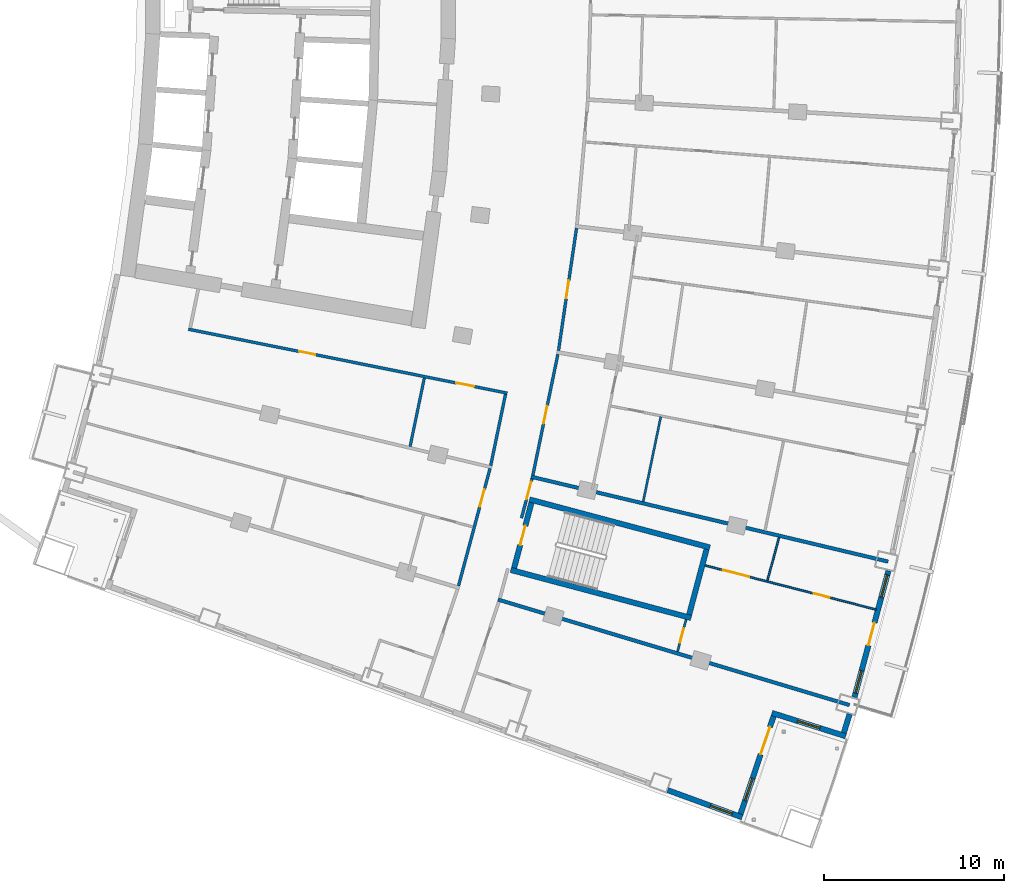
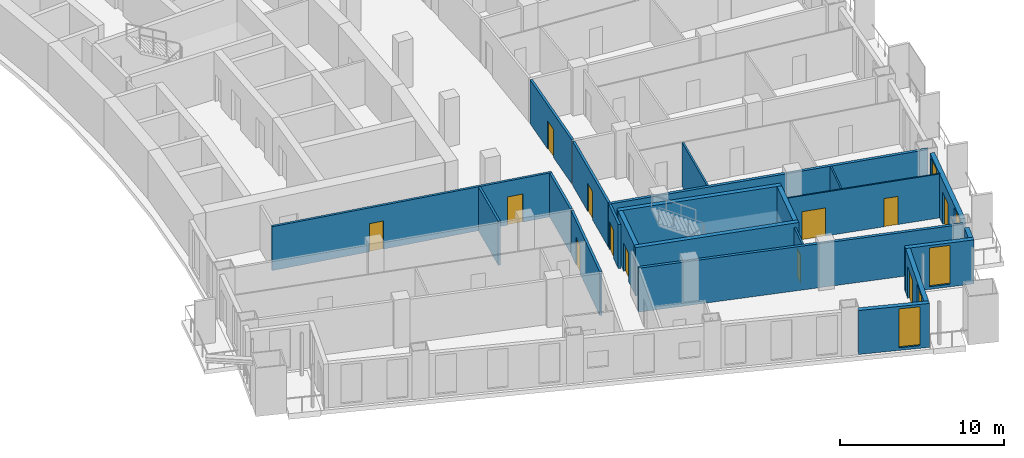
# One storey, part 14 of 24: 22 walls, 12 doors, 5 windows, 17 openings.
"""IFC4 building model written with IfcOpenShell, lengths in metres."""

from ifc_helpers import new_model, si_unit, direction, frame, frame_2d, origin, place, context, subcontext, project, spatial, rectangle, extrude, material, layer, layer_set, type_object, element, fill, save


model = new_model("IFC4")

# Units and contexts
model_context = context("Model", 3, precision=1e-05, world=origin(), true_north=direction((0.0, 1.0)))
body_context = subcontext(model_context, "Body", "Model", "MODEL_VIEW")
ifc_project = project(units=[si_unit("LENGTHUNIT", "METRE"), si_unit("AREAUNIT", "SQUARE_METRE"), si_unit("VOLUMEUNIT", "CUBIC_METRE"), si_unit("PLANEANGLEUNIT", "RADIAN"), si_unit("MASSUNIT", "GRAM", prefix="KILO")], contexts=[model_context])

# Site, building, storey
site_placement = place(None, origin())
site = spatial("IfcSite", under=ifc_project, at=site_placement, CompositionType="ELEMENT")
building_placement = place(site_placement, origin())
building = spatial("IfcBuilding", under=site, at=building_placement, Name="Alderwake Tower", CompositionType="ELEMENT")
storey_placement = place(building_placement, frame((0.0, 0.0, 96.800048828125)))
storey = spatial("IfcBuildingStorey", under=building, at=storey_placement, Name="L23", CompositionType="ELEMENT", Elevation=96.800048828125)

# Walls
ifc_material_1 = material(Name="Concrete C70/85", Category="concrete")
ifc_layer_1 = layer(ifc_material_1, 0.300048828125)
ifc_layer_set_1 = layer_set([ifc_layer_1], Name="Core wall stair enclosure 300 C70-85")
wall_type_1 = type_object("IfcWallType", Name="Core wall stair enclosure 300 C70-85", PredefinedType="SHEAR", material=ifc_layer_set_1)
for number, where, z_axis, x_axis, name in (
    (1, (37.75390625, 31.731201171875, 0.0), (0.0, 0.0, 1.0), (0.966309214305, -0.257383958996, 0.0), "Core wall CW.086"),
    (2, (36.71142578125, 27.817626953125, 0.0), (0.0, 0.0, 1.0), (0.966309214305, -0.257383958996, 0.0), "Core wall CW.088"),
):
    element("IfcWall", number, at=place(storey_placement, frame(where, z_axis=z_axis, x_axis=x_axis)), inside=storey, type_object=wall_type_1, Name=name, PredefinedType="SHEAR", context=body_context, shape_type="SweptSolid", body=[
        extrude(rectangle(XDim=10.360107421875, YDim=0.300048828125, at=frame_2d((5.18017578125, 0.0))), origin(), (0.0, 0.0, 1.0), 3.599853515625),
    ])

# Wall, opening, door
wall_1_placement = place(storey_placement, frame((36.89501953125, 27.923828125, 0.0), z_axis=(0.0, 0.0, 1.0), x_axis=(0.257350630826, 0.966318090907, 0.0)))
wall_1 = element("IfcWall", 3, at=wall_1_placement, inside=storey, type_object=wall_type_1, Name="Core wall CW.087", PredefinedType="SHEAR", context=body_context, shape_type="SweptSolid", body=[
    extrude(rectangle(XDim=3.75, YDim=0.300048828125, at=frame_2d((1.875, 0.0))), origin(), (0.0, 0.0, 1.0), 3.599853515625),
])
opening_1_placement = place(wall_1_placement, frame((1.324951171875, 0.0, 0.0)))
opening_1 = element("IfcOpeningElement", 4, at=opening_1_placement, cuts=wall_1, Name="Opening C065", PredefinedType="OPENING", context=body_context, shape_type="SweptSolid", body=[
    extrude(rectangle(XDim=1.10009765625, YDim=2.10009765625, at=frame_2d((0.550048828125, 1.050048828125))), frame((0.0, 0.159912109375, 0.0), z_axis=(0.0, -1.0, 0.0), x_axis=(1.0, 0.0, 0.0)), (0.0, 0.0, 1.0), 0.320068359375),
])
ifc_material_2 = material(Name="Steel-framed fire door leaf", Category="steel")
door_type_1 = type_object("IfcDoorType", Name="Core stair door 1100 fire-rated", OperationType="SINGLE_SWING_LEFT", PredefinedType="DOOR", material=ifc_material_2)
door_1_placement = place(opening_1_placement, origin())
door_1 = element("IfcDoor", 5, at=door_1_placement, inside=storey, type_object=door_type_1, Name="Stair door", OperationType="SINGLE_SWING_LEFT", OverallHeight=2.10009765625, OverallWidth=1.10009765625, PredefinedType="DOOR", context=body_context, shape_type="SweptSolid", body=[
    extrude(rectangle(XDim=1.10009765625, YDim=2.10009765625, at=frame_2d((0.550048828125, 1.050048828125))), frame((0.0, 0.02490234375, 0.0), z_axis=(0.0, -1.0, 0.0), x_axis=(1.0, 0.0, 0.0)), (0.0, 0.0, 1.0), 0.050048828125),
])
fill(opening_1, door_1)

# Wall
wall_2_placement = place(storey_placement, frame((46.6162109375, 25.334716796875, 0.0), z_axis=(0.0, 0.0, 1.0), x_axis=(0.257366821694, 0.966313778796, 0.0)))
element("IfcWall", 6, at=wall_2_placement, inside=storey, type_object=wall_type_1, Name="Core wall CW.085", PredefinedType="SHEAR", context=body_context, shape_type="SweptSolid", body=[
    extrude(rectangle(XDim=3.749755859375, YDim=0.300048828125, at=frame_2d((1.875, 0.0))), origin(), (0.0, 0.0, 1.0), 3.599853515625),
])

# Wall, openings, doors
ifc_material_3 = material(Name="Gypsum board on metal studs, rated")
ifc_layer_2 = layer(ifc_material_3, 0.159912109375)
ifc_layer_set_2 = layer_set([ifc_layer_2], Name="Corridor wall 160")
wall_type_2 = type_object("IfcWallType", Name="Corridor wall 160", PredefinedType="PARTITIONING", material=ifc_layer_set_2)
wall_3_placement = place(storey_placement, frame((36.513427734375, 37.63427734375, 0.0), z_axis=(0.0, 0.0, 1.0), x_axis=(-0.980470254867, 0.1966674333, 0.0)))
wall_3 = element("IfcWall", 7, at=wall_3_placement, inside=storey, type_object=wall_type_2, Name="WL/L23/W20", PredefinedType="PARTITIONING", context=body_context, shape_type="SweptSolid", body=[
    extrude(rectangle(XDim=18.053466796875, YDim=0.159912109375, at=frame_2d((9.02685546875, 0.0))), origin(), (0.0, 0.0, 1.0), 3.280029296875),
])
opening_2_placement = place(wall_3_placement, frame((10.876708984375, 0.0, 0.0)))
opening_2 = element("IfcOpeningElement", 8, at=opening_2_placement, cuts=wall_3, Name="Opening R06-SBS1", PredefinedType="OPENING", context=body_context, shape_type="SweptSolid", body=[
    extrude(rectangle(XDim=0.89990234375, YDim=2.10009765625, at=frame_2d((0.449951171875, 1.050048828125))), frame((0.0, 0.08984375, 0.0), z_axis=(0.0, -1.0, 0.0), x_axis=(1.0, 0.0, 0.0)), (0.0, 0.0, 1.0), 0.179931640625),
])
opening_3_placement = place(wall_3_placement, frame((1.880615234375, 0.0, 0.0)))
opening_3 = element("IfcOpeningElement", 9, at=opening_3_placement, cuts=wall_3, Name="Opening R06-SBS2", PredefinedType="OPENING", context=body_context, shape_type="SweptSolid", body=[
    extrude(rectangle(XDim=1.0, YDim=2.10009765625, at=frame_2d((0.5, 1.050048828125))), frame((0.0, 0.08984375, 0.0), z_axis=(0.0, -1.0, 0.0), x_axis=(1.0, 0.0, 0.0)), (0.0, 0.0, 1.0), 0.179931640625),
])
ifc_material_4 = material(Name="Steel-framed fire door leaf", Category="steel")
door_type_2 = type_object("IfcDoorType", Name="Plant room door 1000 fire-rated", OperationType="SINGLE_SWING_LEFT", PredefinedType="DOOR", material=ifc_material_4)
door_2_placement = place(opening_3_placement, origin())
door_2 = element("IfcDoor", 10, at=door_2_placement, inside=storey, type_object=door_type_2, Name="DR/L23/SBS2", OperationType="SINGLE_SWING_LEFT", OverallHeight=2.10009765625, OverallWidth=1.0, PredefinedType="DOOR", context=body_context, shape_type="SweptSolid", body=[
    extrude(rectangle(XDim=1.0, YDim=2.10009765625, at=frame_2d((0.5, 1.050048828125))), frame((0.0, 0.02490234375, 0.0), z_axis=(0.0, -1.0, 0.0), x_axis=(1.0, 0.0, 0.0)), (0.0, 0.0, 1.0), 0.050048828125),
])
fill(opening_3, door_2)
ifc_material_5 = material(Name="Painted timber leaf", Category="wood")
door_type_3 = type_object("IfcDoorType", Name="Room door 900", OperationType="SINGLE_SWING_LEFT", PredefinedType="DOOR", material=ifc_material_5)
door_3_placement = place(opening_2_placement, origin())
door_3 = element("IfcDoor", 11, at=door_3_placement, inside=storey, type_object=door_type_3, Name="DR/L23/SBS1", OperationType="SINGLE_SWING_LEFT", OverallHeight=2.10009765625, OverallWidth=0.89990234375, PredefinedType="DOOR", context=body_context, shape_type="SweptSolid", body=[
    extrude(rectangle(XDim=0.89990234375, YDim=2.10009765625, at=frame_2d((0.449951171875, 1.050048828125))), frame((0.0, 0.02490234375, 0.0), z_axis=(0.0, -1.0, 0.0), x_axis=(1.0, 0.0, 0.0)), (0.0, 0.0, 1.0), 0.050048828125),
])
fill(opening_2, door_3)

# Wall, opening, door
wall_4_placement = place(storey_placement, frame((33.808837890625, 26.9345703125, 0.0), z_axis=(0.0, 0.0, 1.0), x_axis=(0.259298911818, 0.965797118618, 0.0)))
wall_4 = element("IfcWall", 12, at=wall_4_placement, inside=storey, type_object=wall_type_2, Name="WL/L23/W25", PredefinedType="PARTITIONING", context=body_context, shape_type="SweptSolid", body=[
    extrude(rectangle(XDim=6.75, YDim=0.159912109375, at=frame_2d((3.375, 0.0))), origin(), (0.0, 0.0, 1.0), 3.280029296875),
])
opening_4_placement = place(wall_4_placement, frame((4.5576171875, 0.0, 0.0)))
opening_4 = element("IfcOpeningElement", 13, at=opening_4_placement, cuts=wall_4, Name="Opening R06-U13.2", PredefinedType="OPENING", context=body_context, shape_type="SweptSolid", body=[
    extrude(rectangle(XDim=1.0, YDim=2.10009765625, at=frame_2d((0.5, 1.050048828125))), frame((0.0, 0.08984375, 0.0), z_axis=(0.0, -1.0, 0.0), x_axis=(1.0, 0.0, 0.0)), (0.0, 0.0, 1.0), 0.179931640625),
])
ifc_material_6 = material(Name="Solid timber leaf in steel frame", Category="steel")
door_type_4 = type_object("IfcDoorType", Name="Flat entrance door 1000 fire-rated", OperationType="SINGLE_SWING_LEFT", PredefinedType="DOOR", material=ifc_material_6)
door_4_placement = place(opening_4_placement, origin())
door_4 = element("IfcDoor", 14, at=door_4_placement, inside=storey, type_object=door_type_4, Name="DR/L23/U13.2", OperationType="SINGLE_SWING_LEFT", OverallHeight=2.10009765625, OverallWidth=1.0, PredefinedType="DOOR", context=body_context, shape_type="SweptSolid", body=[
    extrude(rectangle(XDim=1.0, YDim=2.10009765625, at=frame_2d((0.5, 1.050048828125))), frame((0.0, 0.02490234375, 0.0), z_axis=(0.0, -1.0, 0.0), x_axis=(1.0, 0.0, 0.0)), (0.0, 0.0, 1.0), 0.050048828125),
])
fill(opening_4, door_4)

# Wall
wall_5_placement = place(storey_placement, frame((36.418701171875, 37.57177734375, 0.0), z_axis=(0.0, 0.0, 1.0), x_axis=(-0.203245920818, -0.979127721838, 0.0)))
element("IfcWall", 15, at=wall_5_placement, inside=storey, type_object=wall_type_2, Name="WL/L23/W31", PredefinedType="PARTITIONING", context=body_context, shape_type="SweptSolid", body=[
    extrude(rectangle(XDim=4.046875, YDim=0.159912109375, at=frame_2d((2.0234375, 0.0))), origin(), (0.0, 0.0, 1.0), 3.280029296875),
])

# Wall, opening, door
wall_6_placement = place(storey_placement, frame((37.89111328125, 32.87939453125, 0.0), z_axis=(0.0, 0.0, 1.0), x_axis=(-0.259620578816, -0.965710699462, 0.0)))
wall_6 = element("IfcWall", 16, at=wall_6_placement, inside=storey, type_object=wall_type_2, Name="WL/L23/W34", PredefinedType="PARTITIONING", context=body_context, shape_type="SweptSolid", body=[
    extrude(rectangle(XDim=2.2578125, YDim=0.159912109375, at=frame_2d((1.12890625, 0.0))), origin(), (0.0, 0.0, 1.0), 3.280029296875),
])
opening_5_placement = place(wall_6_placement, frame((0.1708984375, 0.0, 0.0)))
opening_5 = element("IfcOpeningElement", 17, at=opening_5_placement, cuts=wall_6, Name="Opening R06-U01.1", PredefinedType="OPENING", context=body_context, shape_type="SweptSolid", body=[
    extrude(rectangle(XDim=1.0, YDim=2.10009765625, at=frame_2d((0.5, 1.050048828125))), frame((0.0, 0.08984375, 0.0), z_axis=(0.0, -1.0, 0.0), x_axis=(1.0, 0.0, 0.0)), (0.0, 0.0, 1.0), 0.179931640625),
])
door_5_placement = place(opening_5_placement, origin())
door_5 = element("IfcDoor", 18, at=door_5_placement, inside=storey, type_object=door_type_4, Name="DR/L23/U01.1", OperationType="SINGLE_SWING_LEFT", OverallHeight=2.10009765625, OverallWidth=1.0, PredefinedType="DOOR", context=body_context, shape_type="SweptSolid", body=[
    extrude(rectangle(XDim=1.0, YDim=2.10009765625, at=frame_2d((0.5, 1.050048828125))), frame((0.0, 0.02490234375, 0.0), z_axis=(0.0, -1.0, 0.0), x_axis=(1.0, 0.0, 0.0)), (0.0, 0.0, 1.0), 0.050048828125),
])
fill(opening_5, door_5)

wall_7_placement = place(storey_placement, frame((39.32763671875, 39.799072265625, 0.0), z_axis=(0.0, 0.0, 1.0), x_axis=(-0.202463357072, -0.97928983914, 0.0)))
wall_7 = element("IfcWall", 19, at=wall_7_placement, inside=storey, type_object=wall_type_2, Name="WL/L23/W35", PredefinedType="PARTITIONING", context=body_context, shape_type="SweptSolid", body=[
    extrude(rectangle(XDim=6.867431640625, YDim=0.159912109375, at=frame_2d((3.43359375, 0.0))), origin(), (0.0, 0.0, 1.0), 3.280029296875),
])
opening_6_placement = place(wall_7_placement, frame((2.93359375, 0.0, 0.0)))
opening_6 = element("IfcOpeningElement", 20, at=opening_6_placement, cuts=wall_7, Name="Opening R06-U05.2", PredefinedType="OPENING", context=body_context, shape_type="SweptSolid", body=[
    extrude(rectangle(XDim=1.0, YDim=2.10009765625, at=frame_2d((0.5, 1.050048828125))), frame((0.0, 0.08984375, 0.0), z_axis=(0.0, -1.0, 0.0), x_axis=(1.0, 0.0, 0.0)), (0.0, 0.0, 1.0), 0.179931640625),
])
door_6_placement = place(opening_6_placement, origin())
door_6 = element("IfcDoor", 21, at=door_6_placement, inside=storey, type_object=door_type_4, Name="DR/L23/U05.2", OperationType="SINGLE_SWING_LEFT", OverallHeight=2.10009765625, OverallWidth=1.0, PredefinedType="DOOR", context=body_context, shape_type="SweptSolid", body=[
    extrude(rectangle(XDim=1.0, YDim=2.10009765625, at=frame_2d((0.5, 1.050048828125))), frame((0.0, 0.02490234375, 0.0), z_axis=(0.0, -1.0, 0.0), x_axis=(1.0, 0.0, 0.0)), (0.0, 0.0, 1.0), 0.050048828125),
])
fill(opening_6, door_6)

wall_8_placement = place(storey_placement, frame((40.3623046875, 46.7939453125, 0.0), z_axis=(0.0, 0.0, 1.0), x_axis=(-0.1455042199, -0.989357630987, 0.0)))
wall_8 = element("IfcWall", 22, at=wall_8_placement, inside=storey, type_object=wall_type_2, Name="WL/L23/W37", PredefinedType="PARTITIONING", context=body_context, shape_type="SweptSolid", body=[
    extrude(rectangle(XDim=6.87109375, YDim=0.159912109375, at=frame_2d((3.435546875, 0.0))), origin(), (0.0, 0.0, 1.0), 3.280029296875),
])
opening_7_placement = place(wall_8_placement, frame((2.935546875, 0.0, 0.0)))
opening_7 = element("IfcOpeningElement", 23, at=opening_7_placement, cuts=wall_8, Name="Opening R06-U06.2", PredefinedType="OPENING", context=body_context, shape_type="SweptSolid", body=[
    extrude(rectangle(XDim=1.0, YDim=2.10009765625, at=frame_2d((0.5, 1.050048828125))), frame((0.0, 0.08984375, 0.0), z_axis=(0.0, -1.0, 0.0), x_axis=(1.0, 0.0, 0.0)), (0.0, 0.0, 1.0), 0.179931640625),
])
door_7_placement = place(opening_7_placement, origin())
door_7 = element("IfcDoor", 24, at=door_7_placement, inside=storey, type_object=door_type_4, Name="DR/L23/U06.2", OperationType="SINGLE_SWING_LEFT", OverallHeight=2.10009765625, OverallWidth=1.0, PredefinedType="DOOR", context=body_context, shape_type="SweptSolid", body=[
    extrude(rectangle(XDim=1.0, YDim=2.10009765625, at=frame_2d((0.5, 1.050048828125))), frame((0.0, 0.02490234375, 0.0), z_axis=(0.0, -1.0, 0.0), x_axis=(1.0, 0.0, 0.0)), (0.0, 0.0, 1.0), 0.050048828125),
])
fill(opening_7, door_7)

# Wall
ifc_material_7 = material(Name="Precast concrete C50/60 spandrel panel", Category="concrete")
ifc_layer_3 = layer(ifc_material_7, 0.300048828125)
ifc_layer_set_3 = layer_set([ifc_layer_3], Name="External wall EW1 Precast concrete C50/60 spandrel")
wall_type_3 = type_object("IfcWallType", Name="External wall EW1 Precast concrete C50/60 spandrel", PredefinedType="SOLIDWALL", material=ifc_layer_set_3)
wall_9_placement = place(storey_placement, frame((55.206298828125, 18.7724609375, 0.0), z_axis=(0.0, 0.0, 1.0), x_axis=(0.29460770827, 0.955618280606, 0.0)))
element("IfcWall", 25, at=wall_9_placement, inside=storey, type_object=wall_type_3, Name="External wall 11", PredefinedType="SOLIDWALL", context=body_context, shape_type="SweptSolid", body=[
    extrude(rectangle(XDim=1.084716796875, YDim=0.300048828125, at=frame_2d((0.54248046875, 0.0))), origin(), (0.0, 0.0, 1.0), 3.280029296875),
])

# Wall, openings, door, windows
wall_10_placement = place(storey_placement, frame((55.797119140625, 20.75048828125, 0.0), z_axis=(0.0, 0.0, 1.0), x_axis=(0.259469611771, 0.96575127262, 0.0)))
wall_10 = element("IfcWall", 26, at=wall_10_placement, inside=storey, type_object=wall_type_3, Name="External wall 12", PredefinedType="SOLIDWALL", context=body_context, shape_type="SweptSolid", body=[
    extrude(rectangle(XDim=7.263916015625, YDim=0.300048828125, at=frame_2d((3.6318359375, 0.0))), origin(), (0.0, 0.0, 1.0), 3.280029296875),
])
opening_8_placement = place(wall_10_placement, frame((0.23291015625, 0.0, 0.199951171875)))
opening_8 = element("IfcOpeningElement", 27, at=opening_8_placement, cuts=wall_10, Name="Opening W1", PredefinedType="OPENING", context=body_context, shape_type="SweptSolid", body=[
    extrude(rectangle(XDim=1.300048828125, YDim=2.89990234375, at=frame_2d((0.64990234375, 1.449951171875))), frame((0.0, 0.159912109375, 0.0), z_axis=(0.0, -1.0, 0.0), x_axis=(1.0, 0.0, 0.0)), (0.0, 0.0, 1.0), 0.320068359375),
])
opening_9_placement = place(wall_10_placement, frame((2.98193359375, 0.0, 0.0)))
opening_9 = element("IfcOpeningElement", 28, at=opening_9_placement, cuts=wall_10, Name="Opening D03", PredefinedType="OPENING", context=body_context, shape_type="SweptSolid", body=[
    extrude(rectangle(XDim=1.300048828125, YDim=2.39990234375, at=frame_2d((0.64990234375, 1.199951171875))), frame((0.0, 0.159912109375, 0.0), z_axis=(0.0, -1.0, 0.0), x_axis=(1.0, 0.0, 0.0)), (0.0, 0.0, 1.0), 0.320068359375),
])
opening_10_placement = place(wall_10_placement, frame((5.73095703125, 0.0, 0.199951171875)))
opening_10 = element("IfcOpeningElement", 29, at=opening_10_placement, cuts=wall_10, Name="Opening W1", PredefinedType="OPENING", context=body_context, shape_type="SweptSolid", body=[
    extrude(rectangle(XDim=1.300048828125, YDim=2.89990234375, at=frame_2d((0.64990234375, 1.449951171875))), frame((0.0, 0.159912109375, 0.0), z_axis=(0.0, -1.0, 0.0), x_axis=(1.0, 0.0, 0.0)), (0.0, 0.0, 1.0), 0.320068359375),
])
ifc_material_8 = material(Name="Bronze tinted glass in aluminium frame", Category="aluminium")
door_type_5 = type_object("IfcDoorType", Name="Balcony door BD sliding", OperationType="SLIDING_TO_LEFT", PredefinedType="DOOR", material=ifc_material_8)
door_8_placement = place(opening_9_placement, origin())
door_8 = element("IfcDoor", 30, at=door_8_placement, inside=storey, type_object=door_type_5, Name="Door D03", OperationType="SLIDING_TO_LEFT", OverallHeight=2.39990234375, OverallWidth=1.300048828125, PredefinedType="DOOR", context=body_context, shape_type="SweptSolid", body=[
    extrude(rectangle(XDim=1.300048828125, YDim=2.39990234375, at=frame_2d((0.64990234375, 1.199951171875))), frame((0.0, 0.02490234375, 0.0), z_axis=(0.0, -1.0, 0.0), x_axis=(1.0, 0.0, 0.0)), (0.0, 0.0, 1.0), 0.050048828125),
])
fill(opening_9, door_8)
ifc_material_9 = material(Name="Bronze tinted glass in aluminium frame", Category="aluminium")
window_type = type_object("IfcWindowType", Name="Window W1 tall fixed and vent", PartitioningType="DOUBLE_PANEL_VERTICAL", PredefinedType="WINDOW", material=ifc_material_9)
window_1_placement = place(opening_8_placement, origin())
window_1 = element("IfcWindow", 31, at=window_1_placement, inside=storey, type_object=window_type, Name="Window W1 tall fixed and vent", OverallHeight=2.89990234375, OverallWidth=1.300048828125, PartitioningType="DOUBLE_PANEL_VERTICAL", PredefinedType="WINDOW", context=body_context, shape_type="SweptSolid", body=[
    extrude(rectangle(XDim=1.300048828125, YDim=2.89990234375, at=frame_2d((0.64990234375, 1.449951171875))), frame((0.0, 0.030029296875, 0.0), z_axis=(0.0, -1.0, 0.0), x_axis=(1.0, 0.0, 0.0)), (0.0, 0.0, 1.0), 0.06005859375),
])
fill(opening_8, window_1)
window_2_placement = place(opening_10_placement, origin())
window_2 = element("IfcWindow", 32, at=window_2_placement, inside=storey, type_object=window_type, Name="Window W1 tall fixed and vent", OverallHeight=2.89990234375, OverallWidth=1.300048828125, PartitioningType="DOUBLE_PANEL_VERTICAL", PredefinedType="WINDOW", context=body_context, shape_type="SweptSolid", body=[
    extrude(rectangle(XDim=1.300048828125, YDim=2.89990234375, at=frame_2d((0.64990234375, 1.449951171875))), frame((0.0, 0.030029296875, 0.0), z_axis=(0.0, -1.0, 0.0), x_axis=(1.0, 0.0, 0.0)), (0.0, 0.0, 1.0), 0.06005859375),
])
fill(opening_10, window_2)

# Wall, opening, window
ifc_material_10 = material(Name="Bronze metal cladding on lightweight framing")
ifc_layer_4 = layer(ifc_material_10, 0.300048828125)
ifc_layer_set_4 = layer_set([ifc_layer_4], Name="External wall EW2 bronze metal cladding")
wall_type_4 = type_object("IfcWallType", Name="External wall EW2 bronze metal cladding", PredefinedType="SOLIDWALL", material=ifc_layer_set_4)
wall_11_placement = place(storey_placement, frame((45.425048828125, 15.5888671875, 0.0), z_axis=(0.0, 0.0, 1.0), x_axis=(0.939375174999, -0.342891062285, 0.0)))
wall_11 = element("IfcWall", 33, at=wall_11_placement, inside=storey, type_object=wall_type_4, Name="External wall 8", PredefinedType="SOLIDWALL", context=body_context, shape_type="SweptSolid", body=[
    extrude(rectangle(XDim=4.404541015625, YDim=0.300048828125, at=frame_2d((2.2021484375, 0.0))), origin(), (0.0, 0.0, 1.0), 3.280029296875),
])
opening_11_placement = place(wall_11_placement, frame((2.521484375, 0.0, 0.199951171875)))
opening_11 = element("IfcOpeningElement", 34, at=opening_11_placement, cuts=wall_11, Name="Opening W1", PredefinedType="OPENING", context=body_context, shape_type="SweptSolid", body=[
    extrude(rectangle(XDim=1.300048828125, YDim=2.89990234375, at=frame_2d((0.64990234375, 1.449951171875))), frame((0.0, 0.159912109375, 0.0), z_axis=(0.0, -1.0, 0.0), x_axis=(1.0, 0.0, 0.0)), (0.0, 0.0, 1.0), 0.320068359375),
])
window_3_placement = place(opening_11_placement, origin())
window_3 = element("IfcWindow", 35, at=window_3_placement, inside=storey, type_object=window_type, Name="Window W1 tall fixed and vent", OverallHeight=2.89990234375, OverallWidth=1.300048828125, PartitioningType="DOUBLE_PANEL_VERTICAL", PredefinedType="WINDOW", context=body_context, shape_type="SweptSolid", body=[
    extrude(rectangle(XDim=1.300048828125, YDim=2.89990234375, at=frame_2d((0.64990234375, 1.449951171875))), frame((0.0, 0.030029296875, 0.0), z_axis=(0.0, -1.0, 0.0), x_axis=(1.0, 0.0, 0.0)), (0.0, 0.0, 1.0), 0.06005859375),
])
fill(opening_11, window_3)

# Wall, openings, door, window
wall_12_placement = place(storey_placement, frame((49.469482421875, 14.272216796875, 0.0), z_axis=(0.0, 0.0, 1.0), x_axis=(0.32090889823, 0.947110067013, 0.0)))
wall_12 = element("IfcWall", 36, at=wall_12_placement, inside=storey, type_object=wall_type_4, Name="External wall 9", PredefinedType="SOLIDWALL", context=body_context, shape_type="SweptSolid", body=[
    extrude(rectangle(XDim=5.721923828125, YDim=0.300048828125, at=frame_2d((2.86083984375, 0.0))), origin(), (0.0, 0.0, 1.0), 3.280029296875),
])
opening_12_placement = place(wall_12_placement, frame((0.780517578125, 0.0, 0.199951171875)))
opening_12 = element("IfcOpeningElement", 37, at=opening_12_placement, cuts=wall_12, Name="Opening W1", PredefinedType="OPENING", context=body_context, shape_type="SweptSolid", body=[
    extrude(rectangle(XDim=1.300048828125, YDim=2.89990234375, at=frame_2d((0.64990234375, 1.449951171875))), frame((0.0, 0.159912109375, 0.0), z_axis=(0.0, -1.0, 0.0), x_axis=(1.0, 0.0, 0.0)), (0.0, 0.0, 1.0), 0.320068359375),
])
opening_13_placement = place(wall_12_placement, frame((3.491455078125, 0.0, 0.0)))
opening_13 = element("IfcOpeningElement", 38, at=opening_13_placement, cuts=wall_12, Name="Opening D02", PredefinedType="OPENING", context=body_context, shape_type="SweptSolid", body=[
    extrude(rectangle(XDim=1.60009765625, YDim=2.39990234375, at=frame_2d((0.800048828125, 1.199951171875))), frame((0.0, 0.159912109375, 0.0), z_axis=(0.0, -1.0, 0.0), x_axis=(1.0, 0.0, 0.0)), (0.0, 0.0, 1.0), 0.320068359375),
])
ifc_material_11 = material(Name="Bronze tinted glass in aluminium frame", Category="aluminium")
door_type_6 = type_object("IfcDoorType", Name="Terrace door TD sliding", OperationType="SLIDING_TO_LEFT", PredefinedType="DOOR", material=ifc_material_11)
door_9_placement = place(opening_13_placement, origin())
door_9 = element("IfcDoor", 39, at=door_9_placement, inside=storey, type_object=door_type_6, Name="Door D02", OperationType="SLIDING_TO_LEFT", OverallHeight=2.39990234375, OverallWidth=1.60009765625, PredefinedType="DOOR", context=body_context, shape_type="SweptSolid", body=[
    extrude(rectangle(XDim=1.60009765625, YDim=2.39990234375, at=frame_2d((0.800048828125, 1.199951171875))), frame((0.0, 0.02490234375, 0.0), z_axis=(0.0, -1.0, 0.0), x_axis=(1.0, 0.0, 0.0)), (0.0, 0.0, 1.0), 0.050048828125),
])
fill(opening_13, door_9)
window_4_placement = place(opening_12_placement, origin())
window_4 = element("IfcWindow", 40, at=window_4_placement, inside=storey, type_object=window_type, Name="Window W1 tall fixed and vent", OverallHeight=2.89990234375, OverallWidth=1.300048828125, PartitioningType="DOUBLE_PANEL_VERTICAL", PredefinedType="WINDOW", context=body_context, shape_type="SweptSolid", body=[
    extrude(rectangle(XDim=1.300048828125, YDim=2.89990234375, at=frame_2d((0.64990234375, 1.449951171875))), frame((0.0, 0.030029296875, 0.0), z_axis=(0.0, -1.0, 0.0), x_axis=(1.0, 0.0, 0.0)), (0.0, 0.0, 1.0), 0.06005859375),
])
fill(opening_12, window_4)

# Wall, opening, window
wall_13_placement = place(storey_placement, frame((51.210693359375, 19.878662109375, 0.0), z_axis=(0.0, 0.0, 1.0), x_axis=(0.95345886453, -0.301523122911, 0.0)))
wall_13 = element("IfcWall", 41, at=wall_13_placement, inside=storey, type_object=wall_type_4, Name="External wall 10", PredefinedType="SOLIDWALL", context=body_context, shape_type="SweptSolid", body=[
    extrude(rectangle(XDim=4.294677734375, YDim=0.300048828125, at=frame_2d((2.1474609375, 0.0))), origin(), (0.0, 0.0, 1.0), 3.280029296875),
])
opening_14_placement = place(wall_13_placement, frame((1.4970703125, 0.0, 0.199951171875)))
opening_14 = element("IfcOpeningElement", 42, at=opening_14_placement, cuts=wall_13, Name="Opening W1", PredefinedType="OPENING", context=body_context, shape_type="SweptSolid", body=[
    extrude(rectangle(XDim=1.300048828125, YDim=2.89990234375, at=frame_2d((0.64990234375, 1.449951171875))), frame((0.0, 0.159912109375, 0.0), z_axis=(0.0, -1.0, 0.0), x_axis=(1.0, 0.0, 0.0)), (0.0, 0.0, 1.0), 0.320068359375),
])
window_5_placement = place(opening_14_placement, origin())
window_5 = element("IfcWindow", 43, at=window_5_placement, inside=storey, type_object=window_type, Name="Window W1 tall fixed and vent", OverallHeight=2.89990234375, OverallWidth=1.300048828125, PartitioningType="DOUBLE_PANEL_VERTICAL", PredefinedType="WINDOW", context=body_context, shape_type="SweptSolid", body=[
    extrude(rectangle(XDim=1.300048828125, YDim=2.89990234375, at=frame_2d((0.64990234375, 1.449951171875))), frame((0.0, 0.030029296875, 0.0), z_axis=(0.0, -1.0, 0.0), x_axis=(1.0, 0.0, 0.0)), (0.0, 0.0, 1.0), 0.06005859375),
])
fill(opening_14, window_5)

# Walls
ifc_material_12 = material(Name="Dense block masonry wall", Category="masonry")
ifc_layer_5 = layer(ifc_material_12, 0.199951171875)
ifc_layer_set_5 = layer_set([ifc_layer_5], Name="Party wall 200")
wall_type_5 = type_object("IfcWallType", Name="Party wall 200", PredefinedType="SOLIDWALL", material=ifc_layer_set_5)
wall_14_placement = place(storey_placement, frame((36.00439453125, 26.1708984375, 0.0), z_axis=(0.0, 0.0, 1.0), x_axis=(0.957798584654, -0.287440204625, 0.0)))
element("IfcWall", 44, at=wall_14_placement, inside=storey, type_object=wall_type_5, Name="WL/L23/W05", PredefinedType="SOLIDWALL", context=body_context, shape_type="SweptSolid", body=[
    extrude(rectangle(XDim=20.379638671875, YDim=0.199951171875, at=frame_2d((10.18994140625, 0.0))), origin(), (0.0, 0.0, 1.0), 3.280029296875),
])
wall_15_placement = place(storey_placement, frame((37.839111328125, 32.994384765625, 0.0), z_axis=(0.0, 0.0, 1.0), x_axis=(0.972887005839, -0.231280941433, 0.0)))
element("IfcWall", 45, at=wall_15_placement, inside=storey, type_object=wall_type_5, Name="WL/L23/W06", PredefinedType="SOLIDWALL", context=body_context, shape_type="SweptSolid", body=[
    extrude(rectangle(XDim=20.37939453125, YDim=0.199951171875, at=frame_2d((10.189697265625, 0.0))), origin(), (0.0, 0.0, 1.0), 3.280029296875),
])
ifc_material_13 = material(Name="Gypsum shaft wall system, rated")
ifc_layer_6 = layer(ifc_material_13, 0.14990234375)
ifc_layer_set_6 = layer_set([ifc_layer_6], Name="Riser and shaft wall 150")
wall_type_6 = type_object("IfcWallType", Name="Riser and shaft wall 150", PredefinedType="PARTITIONING", material=ifc_layer_set_6)
wall_16_placement = place(storey_placement, frame((31.120361328125, 34.67138671875, 0.0), z_axis=(0.0, 0.0, 1.0), x_axis=(0.203103989328, 0.979157173042, 0.0)))
element("IfcWall", 46, at=wall_16_placement, inside=storey, type_object=wall_type_6, Name="WL/L23/W14", PredefinedType="PARTITIONING", context=body_context, shape_type="SweptSolid", body=[
    extrude(rectangle(XDim=3.887451171875, YDim=0.14990234375, at=frame_2d((1.94384765625, 0.0))), origin(), (0.0, 0.0, 1.0), 3.280029296875),
])

# Wall, openings, doors
ifc_material_14 = material(Name="Gypsum board on metal studs")
ifc_layer_7 = layer(ifc_material_14, 0.10009765625)
ifc_layer_set_7 = layer_set([ifc_layer_7], Name="Unit partition 100")
wall_type_7 = type_object("IfcWallType", Name="Unit partition 100", PredefinedType="PARTITIONING", material=ifc_layer_set_7)
wall_17_placement = place(storey_placement, frame((57.0, 25.614013671875, 0.0), z_axis=(0.0, 0.0, 1.0), x_axis=(-0.968222151935, 0.250091712181, 0.0)))
wall_17 = element("IfcWall", 47, at=wall_17_placement, inside=storey, type_object=wall_type_7, Name="WL/L23/W79", PredefinedType="PARTITIONING", context=body_context, shape_type="SweptSolid", body=[
    extrude(rectangle(XDim=9.812744140625, YDim=0.10009765625, at=frame_2d((4.90625, 0.0))), origin(), (0.0, 0.0, 1.0), 3.280029296875),
])
opening_15_placement = place(wall_17_placement, frame((7.28076171875, 0.0, 0.0)))
opening_15 = element("IfcOpeningElement", 48, at=opening_15_placement, cuts=wall_17, Name="Opening R06-U01.2", PredefinedType="OPENING", context=body_context, shape_type="SweptSolid", body=[
    extrude(rectangle(XDim=1.5, YDim=2.10009765625, at=frame_2d((0.75, 1.050048828125))), frame((0.0, 0.06005859375, 0.0), z_axis=(0.0, -1.0, 0.0), x_axis=(1.0, 0.0, 0.0)), (0.0, 0.0, 1.0), 0.1201171875),
])
opening_16_placement = place(wall_17_placement, frame((2.6748046875, 0.0, 0.0)))
opening_16 = element("IfcOpeningElement", 49, at=opening_16_placement, cuts=wall_17, Name="Opening R06-U01.3", PredefinedType="OPENING", context=body_context, shape_type="SweptSolid", body=[
    extrude(rectangle(XDim=0.89990234375, YDim=2.10009765625, at=frame_2d((0.449951171875, 1.050048828125))), frame((0.0, 0.06005859375, 0.0), z_axis=(0.0, -1.0, 0.0), x_axis=(1.0, 0.0, 0.0)), (0.0, 0.0, 1.0), 0.1201171875),
])
ifc_material_15 = material(Name="Painted timber leaves", Category="wood")
door_type_7 = type_object("IfcDoorType", Name="Double leaf door 1500", OperationType="DOUBLE_DOOR_SINGLE_SWING", PredefinedType="DOOR", material=ifc_material_15)
door_10_placement = place(opening_15_placement, origin())
door_10 = element("IfcDoor", 50, at=door_10_placement, inside=storey, type_object=door_type_7, Name="DR/L23/U01.2", OperationType="DOUBLE_DOOR_SINGLE_SWING", OverallHeight=2.10009765625, OverallWidth=1.5, PredefinedType="DOOR", context=body_context, shape_type="SweptSolid", body=[
    extrude(rectangle(XDim=1.5, YDim=2.10009765625, at=frame_2d((0.75, 1.050048828125))), frame((0.0, 0.02490234375, 0.0), z_axis=(0.0, -1.0, 0.0), x_axis=(1.0, 0.0, 0.0)), (0.0, 0.0, 1.0), 0.050048828125),
])
fill(opening_15, door_10)
door_11_placement = place(opening_16_placement, origin())
door_11 = element("IfcDoor", 51, at=door_11_placement, inside=storey, type_object=door_type_3, Name="DR/L23/U01.3", OperationType="SINGLE_SWING_LEFT", OverallHeight=2.10009765625, OverallWidth=0.89990234375, PredefinedType="DOOR", context=body_context, shape_type="SweptSolid", body=[
    extrude(rectangle(XDim=0.89990234375, YDim=2.10009765625, at=frame_2d((0.449951171875, 1.050048828125))), frame((0.0, 0.02490234375, 0.0), z_axis=(0.0, -1.0, 0.0), x_axis=(1.0, 0.0, 0.0)), (0.0, 0.0, 1.0), 0.050048828125),
])
fill(opening_16, door_11)

# Walls
wall_18_placement = place(storey_placement, frame((50.9619140625, 27.225341796875, 0.0), z_axis=(0.0, 0.0, 1.0), x_axis=(0.260249003849, 0.965541535096, 0.0)))
element("IfcWall", 52, at=wall_18_placement, inside=storey, type_object=wall_type_7, Name="WL/L23/W84", PredefinedType="PARTITIONING", context=body_context, shape_type="SweptSolid", body=[
    extrude(rectangle(XDim=2.478515625, YDim=0.10009765625, at=frame_2d((1.2392578125, 0.0))), origin(), (0.0, 0.0, 1.0), 3.280029296875),
])
ifc_material_16 = material(Name="Moisture resistant gypsum board on metal studs")
ifc_layer_8 = layer(ifc_material_16, 0.1201171875)
ifc_layer_set_8 = layer_set([ifc_layer_8], Name="Wet room partition 120")
wall_type_8 = type_object("IfcWallType", Name="Wet room partition 120", PredefinedType="PARTITIONING", material=ifc_layer_set_8)
wall_19_placement = place(storey_placement, frame((44.06640625, 31.615966796875, 0.0), z_axis=(0.0, 0.0, 1.0), x_axis=(0.202632459684, 0.979254862782, 0.0)))
element("IfcWall", 53, at=wall_19_placement, inside=storey, type_object=wall_type_8, Name="WL/L23/W64", PredefinedType="PARTITIONING", context=body_context, shape_type="SweptSolid", body=[
    extrude(rectangle(XDim=4.809814453125, YDim=0.1201171875, at=frame_2d((2.40478515625, 0.0))), origin(), (0.0, 0.0, 1.0), 3.280029296875),
])

# Wall, opening, door
wall_20_placement = place(storey_placement, frame((45.970947265625, 23.28369140625, 0.0), z_axis=(0.0, 0.0, 1.0), x_axis=(0.258764710752, 0.965940383497, 0.0)))
wall_20 = element("IfcWall", 54, at=wall_20_placement, inside=storey, type_object=wall_type_8, Name="WL/L23/W68", PredefinedType="PARTITIONING", context=body_context, shape_type="SweptSolid", body=[
    extrude(rectangle(XDim=1.847412109375, YDim=0.1201171875, at=frame_2d((0.923828125, 0.0))), origin(), (0.0, 0.0, 1.0), 3.280029296875),
])
opening_17_placement = place(wall_20_placement, frame((0.523681640625, 0.0, 0.0)))
opening_17 = element("IfcOpeningElement", 55, at=opening_17_placement, cuts=wall_20, Name="Opening R06-U01.4", PredefinedType="OPENING", context=body_context, shape_type="SweptSolid", body=[
    extrude(rectangle(XDim=0.800048828125, YDim=2.10009765625, at=frame_2d((0.39990234375, 1.050048828125))), frame((0.0, 0.070068359375, 0.0), z_axis=(0.0, -1.0, 0.0), x_axis=(1.0, 0.0, 0.0)), (0.0, 0.0, 1.0), 0.14013671875),
])
ifc_material_17 = material(Name="Painted timber leaf", Category="wood")
door_type_8 = type_object("IfcDoorType", Name="Bathroom door 800", OperationType="SINGLE_SWING_LEFT", PredefinedType="DOOR", material=ifc_material_17)
door_12_placement = place(opening_17_placement, origin())
door_12 = element("IfcDoor", 56, at=door_12_placement, inside=storey, type_object=door_type_8, Name="DR/L23/U01.4", OperationType="SINGLE_SWING_LEFT", OverallHeight=2.10009765625, OverallWidth=0.800048828125, PredefinedType="DOOR", context=body_context, shape_type="SweptSolid", body=[
    extrude(rectangle(XDim=0.800048828125, YDim=2.10009765625, at=frame_2d((0.39990234375, 1.050048828125))), frame((0.0, 0.02490234375, 0.0), z_axis=(0.0, -1.0, 0.0), x_axis=(1.0, 0.0, 0.0)), (0.0, 0.0, 1.0), 0.050048828125),
])
fill(opening_17, door_12)

save(model, "model.ifc")
